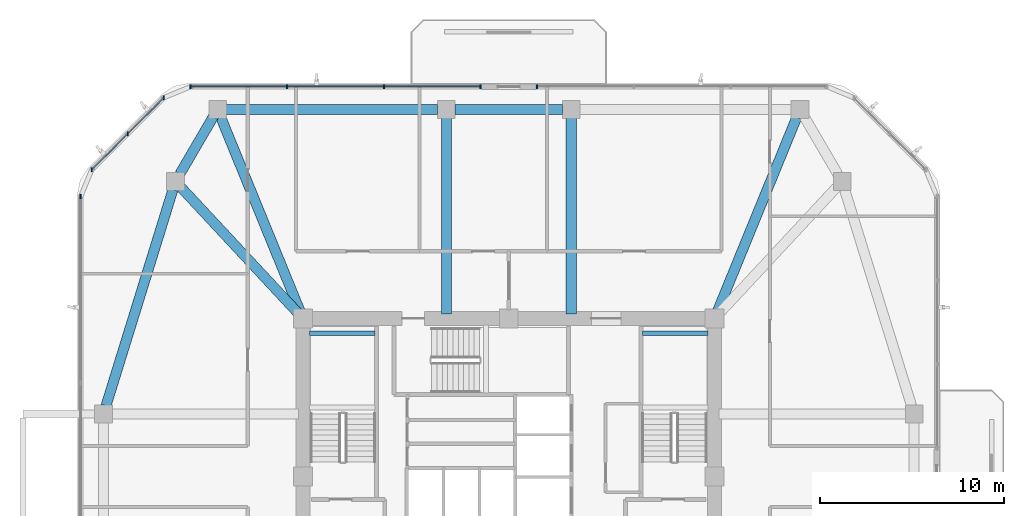
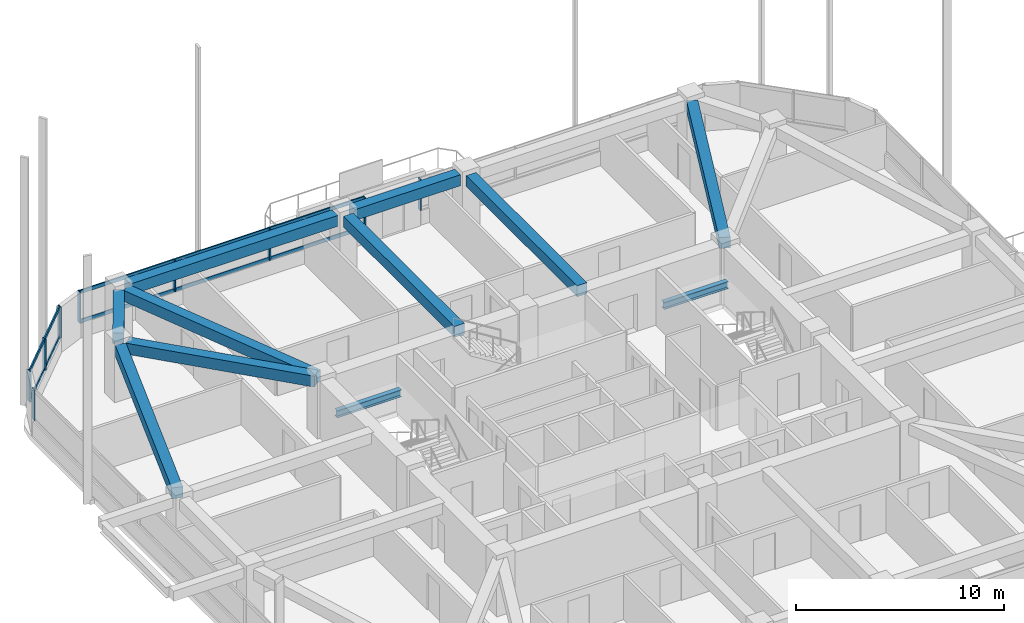
# One storey, part 5 of 14: 13 members, 11 beams, 4 elements without a shape of their own.
"""IFC4 building model written with IfcOpenShell, lengths in metres."""

from ifc_helpers import new_model, si_unit, derived_unit, direction, frame, origin, origin_2d, place, context, subcontext, project, spatial, rectangle, i_section, extrude, material, material_profile, profile_set, type_object, element, aggregate, save


model = new_model("IFC4")

# Units and contexts
model_context = context("Model", 3, precision=1e-05, world=origin(), true_north=direction((0.0, 1.0)))
body_context = subcontext(model_context, "Body", "Model", "MODEL_VIEW")
ifc_project = project(units=[si_unit("LENGTHUNIT", "METRE"), si_unit("AREAUNIT", "SQUARE_METRE"), si_unit("VOLUMEUNIT", "CUBIC_METRE"), si_unit("PLANEANGLEUNIT", "RADIAN"), si_unit("MASSUNIT", "GRAM", prefix="KILO"), derived_unit("THERMALTRANSMITTANCEUNIT", [(si_unit("POWERUNIT", "WATT"), 1), (si_unit("LENGTHUNIT", "METRE"), -2), (si_unit("THERMODYNAMICTEMPERATUREUNIT", "KELVIN"), -1)])], contexts=[model_context])

# Site, building, storey
site_placement = place(None, origin())
site = spatial("IfcSite", under=ifc_project, at=site_placement, CompositionType="ELEMENT")
building_placement = place(site_placement, origin())
building = spatial("IfcBuilding", under=site, at=building_placement, Name="Koralith Skygarden Medical Center", CompositionType="ELEMENT")
storey_placement = place(building_placement, frame((0.0, 0.0, 145.6201171875)))
storey = spatial("IfcBuildingStorey", under=building, at=storey_placement, Name="L37", CompositionType="ELEMENT", Elevation=145.6201171875)

# Curtain wall, member
ifc_material_1 = material(Name="Clear Laminated Glass", Category="glass")
curtain_wall_type = type_object("IfcCurtainWallType", Name="CW-4 Zone 3 Waist High-Wind Curtain Wall", PredefinedType="NOTDEFINED", material=ifc_material_1)
curtain_wall_1_placement = place(storey_placement, origin())
curtain_wall_1 = element("IfcCurtainWall", 1, at=curtain_wall_1_placement, inside=storey, type_object=curtain_wall_type, Name="Curtain Wall CW-L37-N-L", PredefinedType="NOTDEFINED")
ifc_material_2 = material(Name="Aluminium 6063-T6", Category="aluminium")
ifc_material_profile_1 = material_profile(ifc_material_2, rectangle(XDim=0.076904296875, YDim=0.22998046875, at=origin_2d()), Name="MUL77X230")
ifc_profile_set_1 = profile_set([ifc_material_profile_1], Name="Aluminium 6063-T6")
member_type_1 = type_object("IfcMemberType", Name="CW-4 Extruded Mullion 77x230", PredefinedType="MULLION", material=ifc_profile_set_1)
member_1_placement = place(storey_placement, frame((38.541015625, 47.1201171875, 0.849853515625), z_axis=(0.0, 0.0, 1.0), x_axis=(1.0, 0.0, 0.0)))
member_1 = element("IfcMember", 2, at=member_1_placement, type_object=member_type_1, Name="CW-L37-N-L Mullion 4", PredefinedType="MULLION", context=body_context, shape_type="SweptSolid", body=[
    extrude(rectangle(XDim=0.076904296875, YDim=0.22998046875, at=origin_2d()), origin(), (0.0, 0.0, 1.0), 1.820068359375),
])
aggregate(curtain_wall_1, [member_1])

# Curtain wall, members
curtain_wall_2_placement = place(storey_placement, origin())
curtain_wall_2 = element("IfcCurtainWall", 3, at=curtain_wall_2_placement, inside=storey, type_object=curtain_wall_type, Name="Curtain Wall CW-L37-N-R", PredefinedType="NOTDEFINED")
member_2_placement = place(storey_placement, frame((35.4609375, 47.1201171875, 0.849853515625), z_axis=(0.0, 0.0, 1.0), x_axis=(1.0, 0.0, 0.0)))
member_2 = element("IfcMember", 4, at=member_2_placement, type_object=member_type_1, Name="CW-L37-N-R Mullion 1", PredefinedType="MULLION", context=body_context, shape_type="SweptSolid", body=[
    extrude(rectangle(XDim=0.076904296875, YDim=0.22998046875, at=origin_2d()), origin(), (0.0, 0.0, 1.0), 1.820068359375),
])
member_3_placement = place(storey_placement, frame((30.197998046875, 47.1201171875, 0.849853515625), z_axis=(0.0, 0.0, 1.0), x_axis=(1.0, 0.0, 0.0)))
member_3 = element("IfcMember", 5, at=member_3_placement, type_object=member_type_1, Name="CW-L37-N-R Mullion 2", PredefinedType="MULLION", context=body_context, shape_type="SweptSolid", body=[
    extrude(rectangle(XDim=0.076904296875, YDim=0.22998046875, at=origin_2d()), origin(), (0.0, 0.0, 1.0), 1.820068359375),
])
member_4_placement = place(storey_placement, frame((24.93408203125, 47.1201171875, 0.849853515625), z_axis=(0.0, 0.0, 1.0), x_axis=(1.0, 0.0, 0.0)))
member_4 = element("IfcMember", 6, at=member_4_placement, type_object=member_type_1, Name="CW-L37-N-R Mullion 3", PredefinedType="MULLION", context=body_context, shape_type="SweptSolid", body=[
    extrude(rectangle(XDim=0.076904296875, YDim=0.22998046875, at=origin_2d()), origin(), (0.0, 0.0, 1.0), 1.820068359375),
])
member_5_placement = place(storey_placement, frame((19.6708984375, 47.1201171875, 0.849853515625), z_axis=(0.0, 0.0, 1.0), x_axis=(1.0, 0.0, 0.0)))
member_5 = element("IfcMember", 7, at=member_5_placement, type_object=member_type_1, Name="CW-L37-N-R Mullion 4", PredefinedType="MULLION", context=body_context, shape_type="SweptSolid", body=[
    extrude(rectangle(XDim=0.076904296875, YDim=0.22998046875, at=origin_2d()), origin(), (0.0, 0.0, 1.0), 1.820068359375),
])

curtain_wall_3_placement = place(storey_placement, origin())
curtain_wall_3 = element("IfcCurtainWall", 8, at=curtain_wall_3_placement, inside=storey, type_object=curtain_wall_type, Name="Curtain Wall CW-L37-NW", PredefinedType="NOTDEFINED")
member_6_placement = place(storey_placement, frame((18.219970703125, 46.51904296875, 0.849853515625), z_axis=(0.0, 0.0, 1.0), x_axis=(1.0, 0.0, 0.0)))
member_6 = element("IfcMember", 9, at=member_6_placement, type_object=member_type_1, Name="CW-L37-NW Mullion 1", PredefinedType="MULLION", context=body_context, shape_type="SweptSolid", body=[
    extrude(rectangle(XDim=0.076904296875, YDim=0.22998046875, at=origin_2d()), origin(), (0.0, 0.0, 1.0), 1.820068359375),
])
member_7_placement = place(storey_placement, frame((16.258056640625, 44.556884765625, 0.849853515625), z_axis=(0.0, 0.0, 1.0), x_axis=(1.0, 0.0, 0.0)))
member_7 = element("IfcMember", 10, at=member_7_placement, type_object=member_type_1, Name="CW-L37-NW Mullion 2", PredefinedType="MULLION", context=body_context, shape_type="SweptSolid", body=[
    extrude(rectangle(XDim=0.076904296875, YDim=0.22998046875, at=origin_2d()), origin(), (0.0, 0.0, 1.0), 1.820068359375),
])
member_8_placement = place(storey_placement, frame((14.297119140625, 42.595947265625, 0.849853515625), z_axis=(0.0, 0.0, 1.0), x_axis=(1.0, 0.0, 0.0)))
member_8 = element("IfcMember", 11, at=member_8_placement, type_object=member_type_1, Name="CW-L37-NW Mullion 3", PredefinedType="MULLION", context=body_context, shape_type="SweptSolid", body=[
    extrude(rectangle(XDim=0.076904296875, YDim=0.22998046875, at=origin_2d()), origin(), (0.0, 0.0, 1.0), 1.820068359375),
])

# Curtain wall, member
curtain_wall_4_placement = place(storey_placement, origin())
curtain_wall_4 = element("IfcCurtainWall", 12, at=curtain_wall_4_placement, inside=storey, type_object=curtain_wall_type, Name="Curtain Wall CW-L37-W", PredefinedType="NOTDEFINED")
member_9_placement = place(storey_placement, frame((13.696044921875, 41.14501953125, 0.849853515625), z_axis=(0.0, 0.0, 1.0), x_axis=(1.0, 0.0, 0.0)))
member_9 = element("IfcMember", 13, at=member_9_placement, type_object=member_type_1, Name="CW-L37-W Mullion 1", PredefinedType="MULLION", context=body_context, shape_type="SweptSolid", body=[
    extrude(rectangle(XDim=0.076904296875, YDim=0.22998046875, at=origin_2d()), origin(), (0.0, 0.0, 1.0), 1.820068359375),
])
aggregate(curtain_wall_4, [member_9])

# Member
ifc_material_profile_2 = material_profile(ifc_material_2, rectangle(XDim=0.072021484375, YDim=0.20703125, at=origin_2d()), Name="TRN72X207")
ifc_profile_set_2 = profile_set([ifc_material_profile_2], Name="Aluminium 6063-T6")
member_type_2 = type_object("IfcMemberType", Name="CW-4 Thermal Transom 72x207", PredefinedType="USERDEFINED", material=ifc_profile_set_2)
member_10_placement = place(storey_placement, frame((35.4609375, 47.1201171875, 0.89990234375), z_axis=(-1.0, 0.0, 0.0), x_axis=(0.0, -1.0, 0.0)))
member_10 = element("IfcMember", 14, at=member_10_placement, type_object=member_type_2, Name="CW-L37-N-R Transom 1", ObjectType="TRANSOM", PredefinedType="USERDEFINED", context=body_context, shape_type="SweptSolid", body=[
    extrude(rectangle(XDim=0.072021484375, YDim=0.20703125, at=origin_2d()), origin(), (0.0, 0.0, 1.0), 15.7900390625),
])

member_11_placement = place(storey_placement, frame((35.4609375, 47.1201171875, 2.619873046875), z_axis=(-1.0, 0.0, 0.0), x_axis=(0.0, -1.0, 0.0)))
member_11 = element("IfcMember", 15, at=member_11_placement, type_object=member_type_2, Name="CW-L37-N-R Transom 2", ObjectType="TRANSOM", PredefinedType="USERDEFINED", context=body_context, shape_type="SweptSolid", body=[
    extrude(rectangle(XDim=0.072021484375, YDim=0.20703125, at=origin_2d()), origin(), (0.0, 0.0, 1.0), 15.7900390625),
])

aggregate(curtain_wall_2, [member_2, member_3, member_4, member_5, member_10, member_11])

member_12_placement = place(storey_placement, frame((18.219970703125, 46.51904296875, 0.89990234375), z_axis=(-0.707084777957, -0.707128783731, 0.0), x_axis=(0.707128783731, -0.707084777957, 0.0)))
member_12 = element("IfcMember", 16, at=member_12_placement, type_object=member_type_2, Name="CW-L37-NW Transom 1", ObjectType="TRANSOM", PredefinedType="USERDEFINED", context=body_context, shape_type="SweptSolid", body=[
    extrude(rectangle(XDim=0.072021484375, YDim=0.20703125, at=origin_2d()), origin(), (0.0, 0.0, 1.0), 5.5478515625),
])

member_13_placement = place(storey_placement, frame((18.219970703125, 46.51904296875, 2.619873046875), z_axis=(-0.707084777957, -0.707128783731, 0.0), x_axis=(0.707128783731, -0.707084777957, 0.0)))
member_13 = element("IfcMember", 17, at=member_13_placement, type_object=member_type_2, Name="CW-L37-NW Transom 2", ObjectType="TRANSOM", PredefinedType="USERDEFINED", context=body_context, shape_type="SweptSolid", body=[
    extrude(rectangle(XDim=0.072021484375, YDim=0.20703125, at=origin_2d()), origin(), (0.0, 0.0, 1.0), 5.5478515625),
])

aggregate(curtain_wall_3, [member_6, member_7, member_8, member_12, member_13])

# Beams
ifc_material_3 = material(Name="Steel ASTM A992 Grade 50", Category="steel")
ifc_material_profile_3 = material_profile(ifc_material_3, i_section(OverallWidth=0.260009765625, OverallDepth=0.4150390625, WebThickness=0.010009765625, FlangeThickness=0.016845703125, at=origin_2d()), Name="W16X67")
ifc_profile_set_3 = profile_set([ifc_material_profile_3], Name="Steel ASTM A992 Grade 50")
beam_type_1 = type_object("IfcBeamType", Name="Clinical Floor Joist W16X67", PredefinedType="JOIST", material=ifc_profile_set_3)
for number, where, z_axis, x_axis, name in (
    (18, (26.155029296875, 33.699951171875, 1.391845703125), (1.0, 0.0, 0.0), (0.0, 1.0, 0.0), "L37 Stair ST1 Half-Landing Support Beam 1B"),
    (19, (44.280029296875, 33.699951171875, 1.391845703125), (1.0, 0.0, 0.0), (0.0, 1.0, 0.0), "L37 Stair ST2 Half-Landing Support Beam 1B"),
):
    element("IfcBeam", number, at=place(storey_placement, frame(where, z_axis=z_axis, x_axis=x_axis)), inside=storey, type_object=beam_type_1, Name=name, PredefinedType="JOIST", context=body_context, shape_type="SweptSolid", body=[
        extrude(i_section(OverallWidth=0.260009765625, OverallDepth=0.4150390625, WebThickness=0.010009765625, FlangeThickness=0.016845703125, at=origin_2d()), origin(), (0.0, 0.0, 1.0), 3.56494140625),
    ])
ifc_material_4 = material(Name="Concrete C45/55", Category="concrete")
ifc_material_profile_4 = material_profile(ifc_material_4, rectangle(XDim=0.550048828125, YDim=0.639892578125, at=origin_2d()), Name="RCB550X640")
ifc_profile_set_4 = profile_set([ifc_material_profile_4], Name="Concrete C45/55")
beam_type_2 = type_object("IfcBeamType", Name="Radial Collector Beam RCB550X640", PredefinedType="BEAM", material=ifc_profile_set_4)
beam_1_placement = place(storey_placement, frame((48.294921875, 34.73095703125, 3.0), z_axis=(0.378344544364, 0.92566484526, 0.0), x_axis=(-0.92566484526, 0.378344544364, 0.0)))
element("IfcBeam", 20, at=beam_1_placement, inside=storey, type_object=beam_type_2, Name="L37 Radial Collector Beam RB-11", PredefinedType="BEAM", context=body_context, shape_type="SweptSolid", body=[
    extrude(rectangle(XDim=0.550048828125, YDim=0.639892578125, at=origin_2d()), origin(), (0.0, 0.0, 1.0), 11.574462890625),
])
for number, where, z_axis, x_axis, name in (
    (21, (40.39990234375, 34.75, 3.0), (0.0, 1.0, 0.0), (-1.0, 0.0, 0.0), "L37 Radial Collector Beam RB-12"),
    (22, (33.60009765625, 34.75, 3.0), (0.0, 1.0, 0.0), (-1.0, 0.0, 0.0), "L37 Radial Collector Beam RB-13"),
):
    element("IfcBeam", number, at=place(storey_placement, frame(where, z_axis=z_axis, x_axis=x_axis)), inside=storey, type_object=beam_type_2, Name=name, PredefinedType="BEAM", context=body_context, shape_type="SweptSolid", body=[
        extrude(rectangle(XDim=0.550048828125, YDim=0.639892578125, at=origin_2d()), origin(), (0.0, 0.0, 1.0), 10.659912109375),
    ])
beam_2_placement = place(storey_placement, frame((25.705078125, 34.73095703125, 3.0), z_axis=(-0.378344544364, 0.92566484526, 0.0), x_axis=(-0.92566484526, -0.378344544364, 0.0)))
element("IfcBeam", 23, at=beam_2_placement, inside=storey, type_object=beam_type_2, Name="L37 Radial Collector Beam RB-14", PredefinedType="BEAM", context=body_context, shape_type="SweptSolid", body=[
    extrude(rectangle(XDim=0.550048828125, YDim=0.639892578125, at=origin_2d()), origin(), (0.0, 0.0, 1.0), 11.574462890625),
])
beam_3_placement = place(storey_placement, frame((25.6298828125, 34.68310546875, 3.0), z_axis=(-0.681369011591, 0.731940072713, 0.0), x_axis=(-0.731940072713, -0.681369011591, 0.0)))
element("IfcBeam", 24, at=beam_3_placement, inside=storey, type_object=beam_type_2, Name="L37 Radial Collector Beam RB-15", PredefinedType="BEAM", context=body_context, shape_type="SweptSolid", body=[
    extrude(rectangle(XDim=0.550048828125, YDim=0.639892578125, at=origin_2d()), origin(), (0.0, 0.0, 1.0), 9.471923828125),
])
ifc_material_profile_5 = material_profile(ifc_material_4, rectangle(XDim=0.550048828125, YDim=0.639892578125, at=origin_2d()), Name="RCB550X640")
ifc_profile_set_5 = profile_set([ifc_material_profile_5], Name="Concrete C45/55")
beam_type_3 = type_object("IfcBeamType", Name="Zone 2-3 Spandrel Beam RCB550X640", PredefinedType="SPANDREL", material=ifc_profile_set_5)
beam_4_placement = place(storey_placement, frame((39.929931640625, 45.8798828125, 3.0), z_axis=(-1.0, 0.0, 0.0), x_axis=(0.0, -1.0, 0.0)))
element("IfcBeam", 25, at=beam_4_placement, inside=storey, type_object=beam_type_3, Name="L37 Perimeter Spandrel Beam SP-12", PredefinedType="SPANDREL", context=body_context, shape_type="SweptSolid", body=[
    extrude(rectangle(XDim=0.550048828125, YDim=0.639892578125, at=origin_2d()), origin(), (0.0, 0.0, 1.0), 5.85986328125),
])
beam_5_placement = place(storey_placement, frame((33.1298828125, 45.8798828125, 3.0), z_axis=(-1.0, 0.0, 0.0), x_axis=(0.0, -1.0, 0.0)))
element("IfcBeam", 26, at=beam_5_placement, inside=storey, type_object=beam_type_3, Name="L37 Perimeter Spandrel Beam SP-13", PredefinedType="SPANDREL", context=body_context, shape_type="SweptSolid", body=[
    extrude(rectangle(XDim=0.550048828125, YDim=0.639892578125, at=origin_2d()), origin(), (0.0, 0.0, 1.0), 11.511962890625),
])
beam_6_placement = place(storey_placement, frame((20.910888671875, 45.47412109375, 3.0), z_axis=(-0.504861391295, -0.863200426077, 0.0), x_axis=(0.863200426077, -0.504861391295, 0.0)))
element("IfcBeam", 27, at=beam_6_placement, inside=storey, type_object=beam_type_3, Name="L37 Perimeter Spandrel Beam SP-14", PredefinedType="SPANDREL", context=body_context, shape_type="SweptSolid", body=[
    extrude(rectangle(XDim=0.550048828125, YDim=0.639892578125, at=origin_2d()), origin(), (0.0, 0.0, 1.0), 3.600830078125),
])
beam_7_placement = place(storey_placement, frame((18.717041015625, 41.510986328125, 3.0), z_axis=(-0.295793585147, -0.955251880389, 0.0), x_axis=(0.955251880389, -0.295793585147, 0.0)))
element("IfcBeam", 28, at=beam_7_placement, inside=storey, type_object=beam_type_3, Name="L37 Perimeter Spandrel Beam SP-15", PredefinedType="SPANDREL", context=body_context, shape_type="SweptSolid", body=[
    extrude(rectangle(XDim=0.550048828125, YDim=0.639892578125, at=origin_2d()), origin(), (0.0, 0.0, 1.0), 12.31298828125),
])

save(model, "model.ifc")
